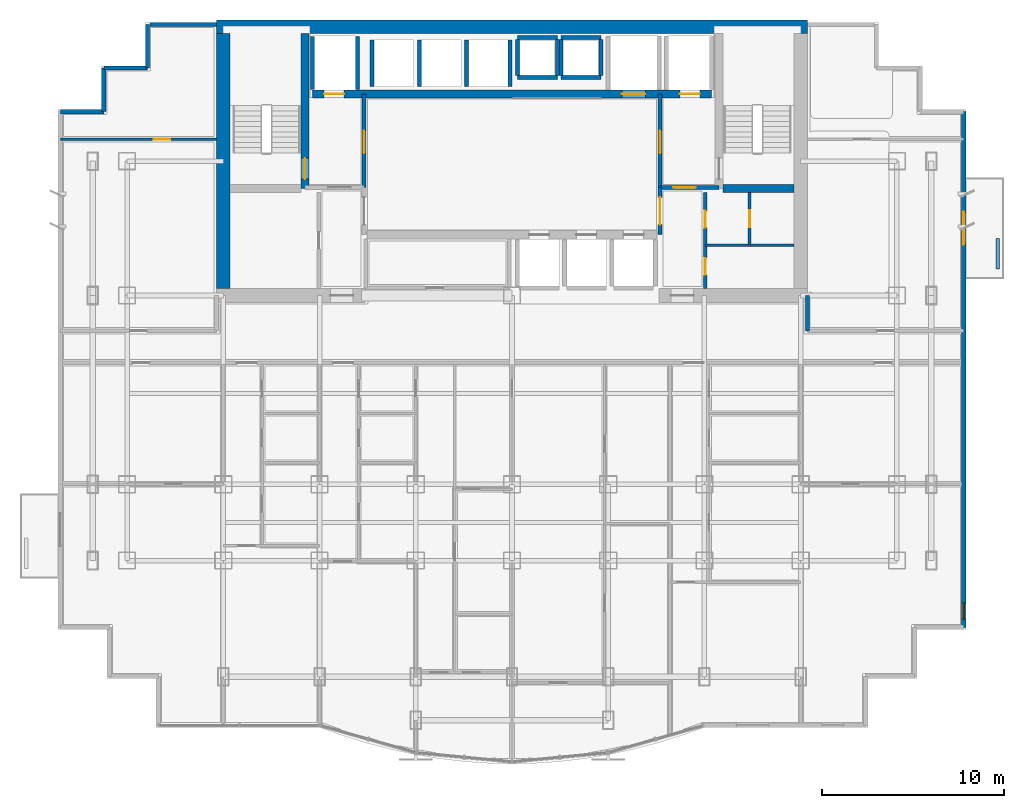
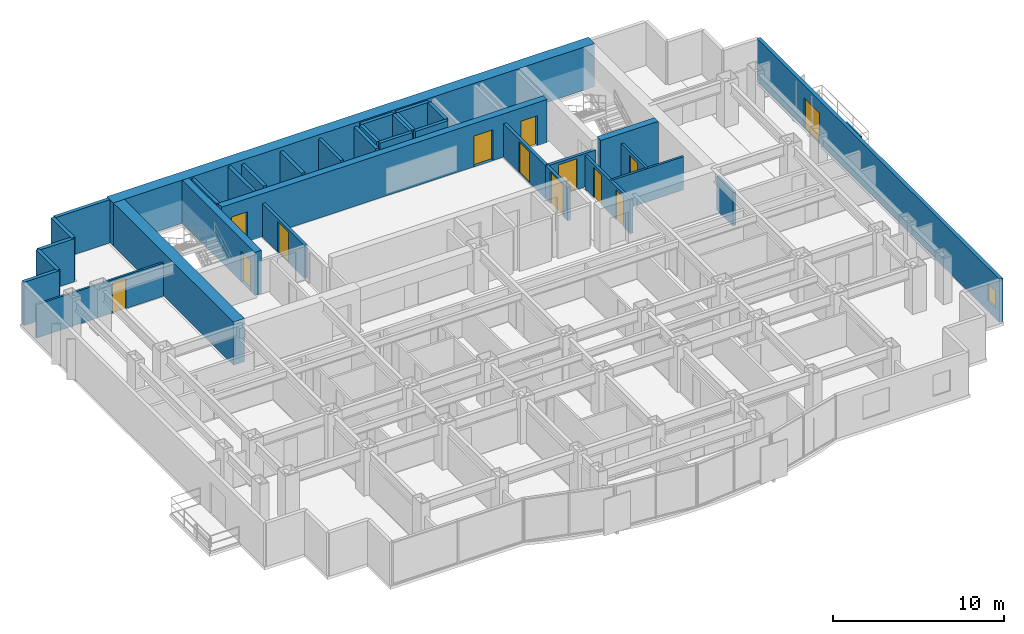
# One storey, part 7 of 10: 35 walls, 13 doors, 1 window, 14 openings.
"""IFC4 building model written with IfcOpenShell, lengths in metres."""

from ifc_helpers import new_model, si_unit, direction, frame, frame_2d, origin, place, context, subcontext, project, spatial, rectangle, extrude, material, layer, layer_set, type_object, element, fill, save


model = new_model("IFC4")

# Units and contexts
model_context = context("Model", 3, precision=1e-05, world=origin(), true_north=direction((0.0, 1.0)))
body_context = subcontext(model_context, "Body", "Model", "MODEL_VIEW")
ifc_project = project(units=[si_unit("LENGTHUNIT", "METRE"), si_unit("AREAUNIT", "SQUARE_METRE"), si_unit("VOLUMEUNIT", "CUBIC_METRE"), si_unit("PLANEANGLEUNIT", "RADIAN"), si_unit("MASSUNIT", "GRAM", prefix="KILO")], contexts=[model_context])

# Site, building, storey
site_placement = place(None, origin())
site = spatial("IfcSite", under=ifc_project, at=site_placement, CompositionType="ELEMENT")
building_placement = place(site_placement, origin())
building = spatial("IfcBuilding", under=site, at=building_placement, Name="Qianlan Lanfeng Residences", CompositionType="ELEMENT")
storey_placement = place(building_placement, frame((0.0, 0.0, 114.699951171875)))
storey = spatial("IfcBuildingStorey", under=building, at=storey_placement, Name="L31", CompositionType="ELEMENT", Elevation=114.699951171875)

# Wall, opening, door
ifc_material_1 = material(Name="Concrete C60", Category="concrete")
ifc_layer_1 = layer(ifc_material_1, 0.449951171875)
ifc_layer_set_1 = layer_set([ifc_layer_1], Name="Concrete C60")
wall_type_1 = type_object("IfcWallType", Name="CW-RC-450", PredefinedType="SHEAR", material=ifc_layer_set_1)
wall_1_placement = place(storey_placement, frame((15.10009765625, 31.10009765625, 0.0), z_axis=(0.0, 0.0, 1.0), x_axis=(0.0, 1.0, 0.0)))
wall_1 = element("IfcWall", 1, at=wall_1_placement, inside=storey, type_object=wall_type_1, Name="L31 Core Shear Wall ST1E", PredefinedType="SHEAR", context=body_context, shape_type="SweptSolid", body=[
    extrude(rectangle(XDim=8.52490234375, YDim=0.449951171875, at=frame_2d((4.262451171875, 0.0))), origin(), (0.0, 0.0, 1.0), 3.090087890625),
])
opening_1_placement = place(wall_1_placement, frame((0.510009765625, 0.0, 0.0)))
opening_1 = element("IfcOpeningElement", 2, at=opening_1_placement, cuts=wall_1, Name="Opening L31-D07", PredefinedType="OPENING", context=body_context, shape_type="SweptSolid", body=[
    extrude(rectangle(XDim=1.14990234375, YDim=2.199951171875, at=frame_2d((0.574951171875, 1.10009765625))), frame((0.0, 0.23486328125, 0.0), z_axis=(0.0, -1.0, 0.0), x_axis=(1.0, 0.0, 0.0)), (0.0, 0.0, 1.0), 0.469970703125),
])
ifc_material_2 = material(Name="Painted Galvanised Steel Fire Door", Category="steel")
door_type_1 = type_object("IfcDoorType", Name="DT-ST1", OperationType="NOTDEFINED", PredefinedType="DOOR", material=ifc_material_2)
door_1_placement = place(opening_1_placement, frame((1.14990234375, 0.0, 0.0), z_axis=(0.0, 0.0, 1.0), x_axis=(-1.0, 0.0, 0.0)))
door_1 = element("IfcDoor", 3, at=door_1_placement, inside=storey, type_object=door_type_1, Name="L31 Exit Stair ST-1 Door L31-D07 (DT-ST1)", OperationType="SINGLE_SWING_RIGHT", OverallHeight=2.199951171875, OverallWidth=1.14990234375, PredefinedType="DOOR", context=body_context, shape_type="SweptSolid", body=[
    extrude(rectangle(XDim=1.14990234375, YDim=2.199951171875, at=frame_2d((0.574951171875, 1.10009765625))), frame((0.0, 0.02490234375, 0.0), z_axis=(0.0, -1.0, 0.0), x_axis=(1.0, 0.0, 0.0)), (0.0, 0.0, 1.0), 0.050048828125),
])
fill(opening_1, door_1)

# Wall
wall_2_placement = place(storey_placement, frame((38.125, 31.10009765625, 0.0), z_axis=(0.0, 0.0, 1.0), x_axis=(1.0, 0.0, 0.0)))
element("IfcWall", 4, at=wall_2_placement, inside=storey, type_object=wall_type_1, Name="L31 Core Shear Wall ST2S", PredefinedType="SHEAR", context=body_context, shape_type="SweptSolid", body=[
    extrude(rectangle(XDim=3.89990234375, YDim=0.449951171875, at=frame_2d((1.949951171875, 0.0))), origin(), (0.0, 0.0, 1.0), 3.090087890625),
])

# Wall, openings, doors
wall_3_placement = place(storey_placement, frame((15.5, 36.300048828125, 0.0), z_axis=(0.0, 0.0, 1.0), x_axis=(1.0, 0.0, 0.0)))
wall_3 = element("IfcWall", 5, at=wall_3_placement, inside=storey, type_object=wall_type_1, Name="L31 Core Shear Wall LBN", PredefinedType="SHEAR", context=body_context, shape_type="SweptSolid", body=[
    extrude(rectangle(XDim=22.0, YDim=0.449951171875, at=frame_2d((11.0, 0.0))), origin(), (0.0, 0.0, 1.0), 3.090087890625),
])
opening_2_placement = place(wall_3_placement, frame((0.64990234375, 0.0, 0.0)))
opening_2 = element("IfcOpeningElement", 6, at=opening_2_placement, cuts=wall_3, Name="Opening L31-LD-FFL-1", PredefinedType="OPENING", context=body_context, shape_type="SweptSolid", body=[
    extrude(rectangle(XDim=1.10009765625, YDim=2.14990234375, at=frame_2d((0.550048828125, 1.074951171875))), frame((0.0, 0.23486328125, 0.0), z_axis=(0.0, -1.0, 0.0), x_axis=(1.0, 0.0, 0.0)), (0.0, 0.0, 1.0), 0.469970703125),
])
opening_3_placement = place(wall_3_placement, frame((20.25, 0.0, 0.0)))
opening_3 = element("IfcOpeningElement", 7, at=opening_3_placement, cuts=wall_3, Name="Opening L31-LD-FFL-2", PredefinedType="OPENING", context=body_context, shape_type="SweptSolid", body=[
    extrude(rectangle(XDim=1.10009765625, YDim=2.14990234375, at=frame_2d((0.550048828125, 1.074951171875))), frame((0.0, 0.23486328125, 0.0), z_axis=(0.0, -1.0, 0.0), x_axis=(1.0, 0.0, 0.0)), (0.0, 0.0, 1.0), 0.469970703125),
])
opening_4_placement = place(wall_3_placement, frame((17.050048828125, 0.0, 0.0)))
opening_4 = element("IfcOpeningElement", 8, at=opening_4_placement, cuts=wall_3, Name="Opening L31-LD-SVL-1", PredefinedType="OPENING", context=body_context, shape_type="SweptSolid", body=[
    extrude(rectangle(XDim=1.300048828125, YDim=2.199951171875, at=frame_2d((0.64990234375, 1.10009765625))), frame((0.0, 0.23486328125, 0.0), z_axis=(0.0, -1.0, 0.0), x_axis=(1.0, 0.0, 0.0)), (0.0, 0.0, 1.0), 0.469970703125),
])
ifc_material_3 = material(Name="Brushed Stainless Steel Sliding Lift Door", Category="steel")
door_type_2 = type_object("IfcDoorType", Name="LD-01", OperationType="NOTDEFINED", PredefinedType="DOOR", material=ifc_material_3)
door_2_placement = place(opening_2_placement, frame((1.10009765625, 0.0, 0.0), z_axis=(0.0, 0.0, 1.0), x_axis=(-1.0, 0.0, 0.0)))
door_2 = element("IfcDoor", 9, at=door_2_placement, inside=storey, type_object=door_type_2, Name="L31 Elevator FFL-1 Sliding Landing Door", OperationType="DOUBLE_DOOR_SLIDING", OverallHeight=2.14990234375, OverallWidth=1.10009765625, PredefinedType="DOOR", context=body_context, shape_type="SweptSolid", body=[
    extrude(rectangle(XDim=1.10009765625, YDim=2.14990234375, at=frame_2d((0.550048828125, 1.074951171875))), frame((0.0, 0.02490234375, 0.0), z_axis=(0.0, -1.0, 0.0), x_axis=(1.0, 0.0, 0.0)), (0.0, 0.0, 1.0), 0.050048828125),
])
fill(opening_2, door_2)
door_3_placement = place(opening_3_placement, frame((1.10009765625, 0.0, 0.0), z_axis=(0.0, 0.0, 1.0), x_axis=(-1.0, 0.0, 0.0)))
door_3 = element("IfcDoor", 10, at=door_3_placement, inside=storey, type_object=door_type_2, Name="L31 Elevator FFL-2 Sliding Landing Door", OperationType="DOUBLE_DOOR_SLIDING", OverallHeight=2.14990234375, OverallWidth=1.10009765625, PredefinedType="DOOR", context=body_context, shape_type="SweptSolid", body=[
    extrude(rectangle(XDim=1.10009765625, YDim=2.14990234375, at=frame_2d((0.550048828125, 1.074951171875))), frame((0.0, 0.02490234375, 0.0), z_axis=(0.0, -1.0, 0.0), x_axis=(1.0, 0.0, 0.0)), (0.0, 0.0, 1.0), 0.050048828125),
])
fill(opening_3, door_3)
door_type_3 = type_object("IfcDoorType", Name="LD-02", OperationType="NOTDEFINED", PredefinedType="DOOR", material=ifc_material_3)
door_4_placement = place(opening_4_placement, frame((1.300048828125, 0.0, 0.0), z_axis=(0.0, 0.0, 1.0), x_axis=(-1.0, 0.0, 0.0)))
door_4 = element("IfcDoor", 11, at=door_4_placement, inside=storey, type_object=door_type_3, Name="L31 Elevator SVL-1 Sliding Landing Door", OperationType="DOUBLE_DOOR_SLIDING", OverallHeight=2.199951171875, OverallWidth=1.300048828125, PredefinedType="DOOR", context=body_context, shape_type="SweptSolid", body=[
    extrude(rectangle(XDim=1.300048828125, YDim=2.199951171875, at=frame_2d((0.64990234375, 1.10009765625))), frame((0.0, 0.02490234375, 0.0), z_axis=(0.0, -1.0, 0.0), x_axis=(1.0, 0.0, 0.0)), (0.0, 0.0, 1.0), 0.050048828125),
])
fill(opening_4, door_4)

# Walls
ifc_layer_2 = layer(ifc_material_1, 0.75)
ifc_layer_set_2 = layer_set([ifc_layer_2], Name="Concrete C60")
wall_type_2 = type_object("IfcWallType", Name="CW-RC-750", PredefinedType="SHEAR", material=ifc_layer_set_2)
wall_4_placement = place(storey_placement, frame((10.22509765625, 40.0, 0.0), z_axis=(0.0, 0.0, 1.0), x_axis=(1.0, 0.0, 0.0)))
element("IfcWall", 12, at=wall_4_placement, inside=storey, type_object=wall_type_2, Name="L31 Core Shear Wall N", PredefinedType="SHEAR", context=body_context, shape_type="SweptSolid", body=[
    extrude(rectangle(XDim=32.5498046875, YDim=0.75, at=frame_2d((16.27490234375, 0.0))), origin(), (0.0, 0.0, 1.0), 3.090087890625),
])
wall_5_placement = place(storey_placement, frame((10.60009765625, 25.574951171875, 0.0), z_axis=(0.0, 0.0, 1.0), x_axis=(0.0, 1.0, 0.0)))
element("IfcWall", 13, at=wall_5_placement, inside=storey, type_object=wall_type_2, Name="L31 Core Shear Wall W", PredefinedType="SHEAR", context=body_context, shape_type="SweptSolid", body=[
    extrude(rectangle(XDim=14.050048828125, YDim=0.75, at=frame_2d((7.02490234375, 0.0))), origin(), (0.0, 0.0, 1.0), 3.090087890625),
])

# Wall, openings, door, window
ifc_material_4 = material(Name="Concrete C42", Category="concrete")
ifc_layer_3 = layer(ifc_material_4, 0.239990234375)
ifc_layer_set_3 = layer_set([ifc_layer_3], Name="Concrete C42")
wall_type_3 = type_object("IfcWallType", Name="EW-240", PredefinedType="SOLIDWALL", material=ifc_layer_set_3)
wall_6_placement = place(storey_placement, frame((51.3798828125, 6.919921875, 0.0), z_axis=(0.0, 0.0, 1.0), x_axis=(0.0, 1.0, 0.0)))
wall_6 = element("IfcWall", 14, at=wall_6_placement, inside=storey, type_object=wall_type_3, Name="L31 Terrace/Balcony Access Exterior Wall 10", PredefinedType="SOLIDWALL", context=body_context, shape_type="SweptSolid", body=[
    extrude(rectangle(XDim=28.41015625, YDim=0.239990234375, at=frame_2d((14.205078125, 0.0))), origin(), (0.0, 0.0, 1.0), 3.090087890625),
])
opening_5_placement = place(wall_6_placement, frame((21.080078125, 0.0, 0.0)))
opening_5 = element("IfcOpeningElement", 15, at=opening_5_placement, cuts=wall_6, Name="Opening L31-D-EB-N", PredefinedType="OPENING", context=body_context, shape_type="SweptSolid", body=[
    extrude(rectangle(XDim=1.800048828125, YDim=2.199951171875, at=frame_2d((0.89990234375, 1.10009765625))), frame((0.0, 0.1298828125, 0.0), z_axis=(0.0, -1.0, 0.0), x_axis=(1.0, 0.0, 0.0)), (0.0, 0.0, 1.0), 0.260009765625),
])
opening_6_placement = place(wall_6_placement, frame((0.449951171875, 0.0, 0.75)))
opening_6 = element("IfcOpeningElement", 16, at=opening_6_placement, cuts=wall_6, Name="Opening W-04", PredefinedType="OPENING", context=body_context, shape_type="SweptSolid", body=[
    extrude(rectangle(XDim=0.89990234375, YDim=1.199951171875, at=frame_2d((0.449951171875, 0.60009765625))), frame((0.0, 0.1298828125, 0.0), z_axis=(0.0, -1.0, 0.0), x_axis=(1.0, 0.0, 0.0)), (0.0, 0.0, 1.0), 0.260009765625),
])
ifc_material_5 = material(Name="Anodised Bronze Aluminium Framed Glass", Category="aluminium")
door_type_4 = type_object("IfcDoorType", Name="DT-BAL1", OperationType="NOTDEFINED", PredefinedType="DOOR", material=ifc_material_5)
door_5_placement = place(opening_5_placement, frame((1.800048828125, 0.0, 0.0), z_axis=(0.0, 0.0, 1.0), x_axis=(-1.0, 0.0, 0.0)))
door_5 = element("IfcDoor", 17, at=door_5_placement, inside=storey, type_object=door_type_4, Name="L31 Exterior Access Door EB-N", OperationType="DOUBLE_DOOR_SLIDING", OverallHeight=2.199951171875, OverallWidth=1.800048828125, PredefinedType="DOOR", context=body_context, shape_type="SweptSolid", body=[
    extrude(rectangle(XDim=1.800048828125, YDim=2.199951171875, at=frame_2d((0.89990234375, 1.10009765625))), frame((0.0, 0.02490234375, 0.0), z_axis=(0.0, -1.0, 0.0), x_axis=(1.0, 0.0, 0.0)), (0.0, 0.0, 1.0), 0.050048828125),
])
fill(opening_5, door_5)
ifc_material_6 = material(Name="Anodised Bronze Aluminium Framed Double Glazing", Category="aluminium")
window_type = type_object("IfcWindowType", Name="W-04", PartitioningType="SINGLE_PANEL", PredefinedType="WINDOW", material=ifc_material_6)
window_placement = place(opening_6_placement, origin())
window = element("IfcWindow", 18, at=window_placement, inside=storey, type_object=window_type, Name="L31 Exterior Window W-04", OverallHeight=1.199951171875, OverallWidth=0.89990234375, PartitioningType="SINGLE_PANEL", PredefinedType="WINDOW", context=body_context, shape_type="SweptSolid", body=[
    extrude(rectangle(XDim=0.89990234375, YDim=1.199951171875, at=frame_2d((0.449951171875, 0.60009765625))), frame((0.0, 0.030029296875, 0.0), z_axis=(0.0, -1.0, 0.0), x_axis=(1.0, 0.0, 0.0)), (0.0, 0.0, 1.0), 0.06005859375),
])
fill(opening_6, window)

# Walls
wall_7_placement = place(storey_placement, frame((10.22509765625, 40.1298828125, 0.0), z_axis=(0.0, 0.0, 1.0), x_axis=(-1.0, 0.0, 0.0)))
element("IfcWall", 19, at=wall_7_placement, inside=storey, type_object=wall_type_3, Name="L31 North Wing Exterior Wall W", PredefinedType="SOLIDWALL", context=body_context, shape_type="SweptSolid", body=[
    extrude(rectangle(XDim=3.675048828125, YDim=0.239990234375, at=frame_2d((1.83740234375, 0.0))), origin(), (0.0, 0.0, 1.0), 3.090087890625),
])
for number, where, z_axis, x_axis, name in (
    (20, (6.419921875, 40.1298828125, 0.0), (0.0, 0.0, 1.0), (0.0, -1.0, 0.0), "L31 Exterior Facade Spandrel Wall 17"),
    (21, (6.419921875, 37.72998046875, 0.0), (0.0, 0.0, 1.0), (-1.0, 0.0, 0.0), "L31 Exterior Facade Spandrel Wall 18"),
    (22, (4.02001953125, 37.72998046875, 0.0), (0.0, 0.0, 1.0), (0.0, -1.0, 0.0), "L31 Exterior Facade Spandrel Wall 19"),
    (23, (4.02001953125, 35.330078125, 0.0), (0.0, 0.0, 1.0), (-1.0, 0.0, 0.0), "L31 Exterior Facade Spandrel Wall 20"),
):
    element("IfcWall", number, at=place(storey_placement, frame(where, z_axis=z_axis, x_axis=x_axis)), inside=storey, type_object=wall_type_3, Name=name, PredefinedType="SOLIDWALL", context=body_context, shape_type="SweptSolid", body=[
        extrude(rectangle(XDim=2.39990234375, YDim=0.239990234375, at=frame_2d((1.199951171875, 0.0))), origin(), (0.0, 0.0, 1.0), 3.090087890625),
    ])
ifc_layer_4 = layer(ifc_material_4, 0.199951171875)
ifc_layer_set_4 = layer_set([ifc_layer_4], Name="Concrete C42")
wall_type_4 = type_object("IfcWallType", Name="PL-TREE-200", PredefinedType="PARAPET", material=ifc_layer_set_4)
wall_8_placement = place(storey_placement, frame((53.25, 26.64990234375, 0.0), z_axis=(0.0, 0.0, 1.0), x_axis=(0.0, 1.0, 0.0)))
element("IfcWall", 24, at=wall_8_placement, inside=storey, type_object=wall_type_4, Name="L31 East Tree Planter Curb EB-N", PredefinedType="PARAPET", context=body_context, shape_type="SweptSolid", body=[
    extrude(rectangle(XDim=1.7001953125, YDim=0.199951171875, at=frame_2d((0.85009765625, 0.0))), origin(), (0.0, 0.0, 1.0), 0.650146484375),
])

# Wall, opening, door
ifc_material_7 = material(Name="Moisture-Resistant Gypsum Partition 135 mm")
ifc_layer_5 = layer(ifc_material_7, 0.135009765625)
ifc_layer_set_5 = layer_set([ifc_layer_5], Name="Moisture-Resistant Gypsum Partition 135 mm")
wall_type_5 = type_object("IfcWallType", Name="PW-135", PredefinedType="PARTITIONING", material=ifc_layer_set_5)
wall_9_placement = place(storey_placement, frame((1.6201171875, 33.800048828125, 0.0), z_axis=(0.0, 0.0, 1.0), x_axis=(1.0, 0.0, 0.0)))
wall_9 = element("IfcWall", 25, at=wall_9_placement, inside=storey, type_object=wall_type_5, Name="L31 WW North Wing Wall", PredefinedType="PARTITIONING", context=body_context, shape_type="SweptSolid", body=[
    extrude(rectangle(XDim=8.60498046875, YDim=0.135009765625, at=frame_2d((4.302490234375, 0.0))), origin(), (0.0, 0.0, 1.0), 2.380126953125),
])
opening_7_placement = place(wall_9_placement, frame((5.14306640625, 0.0, 0.0)))
opening_7 = element("IfcOpeningElement", 26, at=opening_7_placement, cuts=wall_9, Name="Opening L31-D44", PredefinedType="OPENING", context=body_context, shape_type="SweptSolid", body=[
    extrude(rectangle(XDim=0.919921875, YDim=2.14990234375, at=frame_2d((0.4599609375, 1.074951171875))), frame((0.0, 0.07763671875, 0.0), z_axis=(0.0, -1.0, 0.0), x_axis=(1.0, 0.0, 0.0)), (0.0, 0.0, 1.0), 0.155029296875),
])
ifc_material_8 = material(Name="Glazed Timber Kitchen/Study Door", Category="wood")
door_type_5 = type_object("IfcDoorType", Name="DT-INT", OperationType="NOTDEFINED", PredefinedType="DOOR", material=ifc_material_8)
door_6_placement = place(opening_7_placement, origin())
door_6 = element("IfcDoor", 27, at=door_6_placement, inside=storey, type_object=door_type_5, Name="L31 WW Inner Salon Door L31-D44 (DT-INT)", OperationType="SINGLE_SWING_LEFT", OverallHeight=2.14990234375, OverallWidth=0.919921875, PredefinedType="DOOR", context=body_context, shape_type="SweptSolid", body=[
    extrude(rectangle(XDim=0.919921875, YDim=2.14990234375, at=frame_2d((0.4599609375, 1.074951171875))), frame((0.0, 0.02490234375, 0.0), z_axis=(0.0, -1.0, 0.0), x_axis=(1.0, 0.0, 0.0)), (0.0, 0.0, 1.0), 0.050048828125),
])
fill(opening_7, door_6)

# Wall
ifc_material_9 = material(Name="Acoustic Drywall Partition 150 mm")
ifc_layer_6 = layer(ifc_material_9, 0.14990234375)
ifc_layer_set_6 = layer_set([ifc_layer_6], Name="Acoustic Drywall Partition 150 mm")
wall_type_6 = type_object("IfcWallType", Name="PW-150", PredefinedType="PARTITIONING", material=ifc_layer_set_6)
wall_10_placement = place(storey_placement, frame((37.14990234375, 27.97509765625, 0.0), z_axis=(0.0, 0.0, 1.0), x_axis=(1.0, 0.0, 0.0)))
element("IfcWall", 28, at=wall_10_placement, inside=storey, type_object=wall_type_6, Name="L31 Core East H Split", PredefinedType="PARTITIONING", context=body_context, shape_type="SweptSolid", body=[
    extrude(rectangle(XDim=4.875, YDim=0.14990234375, at=frame_2d((2.4375, 0.0))), origin(), (0.0, 0.0, 1.0), 2.380126953125),
])

# Wall, opening, door
wall_11_placement = place(storey_placement, frame((39.5869140625, 27.97509765625, 0.0), z_axis=(0.0, 0.0, 1.0), x_axis=(0.0, 1.0, 0.0)))
wall_11 = element("IfcWall", 29, at=wall_11_placement, inside=storey, type_object=wall_type_6, Name="L31 Core East V Split", PredefinedType="PARTITIONING", context=body_context, shape_type="SweptSolid", body=[
    extrude(rectangle(XDim=2.89990234375, YDim=0.14990234375, at=frame_2d((1.449951171875, 0.0))), origin(), (0.0, 0.0, 1.0), 2.380126953125),
])
opening_8_placement = place(wall_11_placement, frame((0.989990234375, 0.0, 0.0)))
opening_8 = element("IfcOpeningElement", 30, at=opening_8_placement, cuts=wall_11, Name="Opening L31-D12", PredefinedType="OPENING", context=body_context, shape_type="SweptSolid", body=[
    extrude(rectangle(XDim=0.919921875, YDim=2.14990234375, at=frame_2d((0.4599609375, 1.074951171875))), frame((0.0, 0.0849609375, 0.0), z_axis=(0.0, -1.0, 0.0), x_axis=(1.0, 0.0, 0.0)), (0.0, 0.0, 1.0), 0.169921875),
])
door_7_placement = place(opening_8_placement, origin())
door_7 = element("IfcDoor", 31, at=door_7_placement, inside=storey, type_object=door_type_5, Name="L31 Inner Supply Closet Door L31-D12 (DT-INT)", OperationType="SINGLE_SWING_LEFT", OverallHeight=2.14990234375, OverallWidth=0.919921875, PredefinedType="DOOR", context=body_context, shape_type="SweptSolid", body=[
    extrude(rectangle(XDim=0.919921875, YDim=2.14990234375, at=frame_2d((0.4599609375, 1.074951171875))), frame((0.0, 0.02490234375, 0.0), z_axis=(0.0, -1.0, 0.0), x_axis=(1.0, 0.0, 0.0)), (0.0, 0.0, 1.0), 0.050048828125),
])
fill(opening_8, door_7)

# Wall, openings, doors
ifc_material_10 = material(Name="Double-Layer Acoustic Gypsum Stud Wall 180 mm")
ifc_layer_7 = layer(ifc_material_10, 0.179931640625)
ifc_layer_set_7 = layer_set([ifc_layer_7], Name="Double-Layer Acoustic Gypsum Stud Wall 180 mm")
wall_type_7 = type_object("IfcWallType", Name="PW-180", PredefinedType="PARTITIONING", material=ifc_layer_set_7)
wall_12_placement = place(storey_placement, frame((37.14990234375, 25.574951171875, 0.0), z_axis=(0.0, 0.0, 1.0), x_axis=(0.0, 1.0, 0.0)))
wall_12 = element("IfcWall", 32, at=wall_12_placement, inside=storey, type_object=wall_type_7, Name="L31 Core East Service Room Wall", PredefinedType="PARTITIONING", context=body_context, shape_type="SweptSolid", body=[
    extrude(rectangle(XDim=5.300048828125, YDim=0.179931640625, at=frame_2d((2.64990234375, 0.0))), origin(), (0.0, 0.0, 1.0), 2.380126953125),
])
opening_9_placement = place(wall_12_placement, frame((0.764892578125, 0.0, 0.0)))
opening_9 = element("IfcOpeningElement", 33, at=opening_9_placement, cuts=wall_12, Name="Opening L31-D10", PredefinedType="OPENING", context=body_context, shape_type="SweptSolid", body=[
    extrude(rectangle(XDim=0.919921875, YDim=2.14990234375, at=frame_2d((0.4599609375, 1.074951171875))), frame((0.0, 0.10009765625, 0.0), z_axis=(0.0, -1.0, 0.0), x_axis=(1.0, 0.0, 0.0)), (0.0, 0.0, 1.0), 0.199951171875),
])
opening_10_placement = place(wall_12_placement, frame((3.364990234375, 0.0, 0.0)))
opening_10 = element("IfcOpeningElement", 34, at=opening_10_placement, cuts=wall_12, Name="Opening L31-D11", PredefinedType="OPENING", context=body_context, shape_type="SweptSolid", body=[
    extrude(rectangle(XDim=0.919921875, YDim=2.14990234375, at=frame_2d((0.4599609375, 1.074951171875))), frame((0.0, 0.10009765625, 0.0), z_axis=(0.0, -1.0, 0.0), x_axis=(1.0, 0.0, 0.0)), (0.0, 0.0, 1.0), 0.199951171875),
])
door_8_placement = place(opening_9_placement, origin())
door_8 = element("IfcDoor", 35, at=door_8_placement, inside=storey, type_object=door_type_5, Name="L31 Refuse Room Door L31-D10 (DT-INT)", OperationType="SINGLE_SWING_LEFT", OverallHeight=2.14990234375, OverallWidth=0.919921875, PredefinedType="DOOR", context=body_context, shape_type="SweptSolid", body=[
    extrude(rectangle(XDim=0.919921875, YDim=2.14990234375, at=frame_2d((0.4599609375, 1.074951171875))), frame((0.0, 0.02490234375, 0.0), z_axis=(0.0, -1.0, 0.0), x_axis=(1.0, 0.0, 0.0)), (0.0, 0.0, 1.0), 0.050048828125),
])
fill(opening_9, door_8)
door_9_placement = place(opening_10_placement, origin())
door_9 = element("IfcDoor", 36, at=door_9_placement, inside=storey, type_object=door_type_5, Name="L31 Janitor Outer Door L31-D11 (DT-INT)", OperationType="SINGLE_SWING_RIGHT", OverallHeight=2.14990234375, OverallWidth=0.919921875, PredefinedType="DOOR", context=body_context, shape_type="SweptSolid", body=[
    extrude(rectangle(XDim=0.919921875, YDim=2.14990234375, at=frame_2d((0.4599609375, 1.074951171875))), frame((0.0, 0.02490234375, 0.0), z_axis=(0.0, -1.0, 0.0), x_axis=(1.0, 0.0, 0.0)), (0.0, 0.0, 1.0), 0.050048828125),
])
fill(opening_10, door_9)

# Wall, opening, door
ifc_material_11 = material(Name="Autoclaved Aerated Concrete Blockwork 200 mm", Category="masonry")
ifc_layer_8 = layer(ifc_material_11, 0.199951171875)
ifc_layer_set_8 = layer_set([ifc_layer_8], Name="Autoclaved Aerated Concrete Blockwork 200 mm")
wall_type_8 = type_object("IfcWallType", Name="PW-200", PredefinedType="PARTITIONING", material=ifc_layer_set_8)
wall_13_placement = place(storey_placement, frame((18.35009765625, 31.14990234375, 0.0), z_axis=(0.0, 0.0, 1.0), x_axis=(0.0, 1.0, 0.0)))
wall_13 = element("IfcWall", 37, at=wall_13_placement, inside=storey, type_object=wall_type_8, Name="L31 Firefighting Lobby 1 East Wall", PredefinedType="PARTITIONING", context=body_context, shape_type="SweptSolid", body=[
    extrude(rectangle(XDim=5.150146484375, YDim=0.199951171875, at=frame_2d((2.5751953125, 0.0))), origin(), (0.0, 0.0, 1.0), 2.380126953125),
])
opening_11_placement = place(wall_13_placement, frame((1.875, 0.0, 0.0)))
opening_11 = element("IfcOpeningElement", 38, at=opening_11_placement, cuts=wall_13, Name="Opening L31-D04", PredefinedType="OPENING", context=body_context, shape_type="SweptSolid", body=[
    extrude(rectangle(XDim=1.25, YDim=2.199951171875, at=frame_2d((0.625, 1.10009765625))), frame((0.0, 0.10986328125, 0.0), z_axis=(0.0, -1.0, 0.0), x_axis=(1.0, 0.0, 0.0)), (0.0, 0.0, 1.0), 0.219970703125),
])
door_type_6 = type_object("IfcDoorType", Name="DT-FFL", OperationType="NOTDEFINED", PredefinedType="DOOR", material=ifc_material_2)
door_10_placement = place(opening_11_placement, origin())
door_10 = element("IfcDoor", 39, at=door_10_placement, inside=storey, type_object=door_type_6, Name="L31 Firefighting Lobby 1 Lift Lobby Door L31-D04 (DT-FFL)", OperationType="SINGLE_SWING_LEFT", OverallHeight=2.199951171875, OverallWidth=1.25, PredefinedType="DOOR", context=body_context, shape_type="SweptSolid", body=[
    extrude(rectangle(XDim=1.25, YDim=2.199951171875, at=frame_2d((0.625, 1.10009765625))), frame((0.0, 0.02490234375, 0.0), z_axis=(0.0, -1.0, 0.0), x_axis=(1.0, 0.0, 0.0)), (0.0, 0.0, 1.0), 0.050048828125),
])
fill(opening_11, door_10)

wall_14_placement = place(storey_placement, frame((34.64990234375, 31.14990234375, 0.0), z_axis=(0.0, 0.0, 1.0), x_axis=(1.0, 0.0, 0.0)))
wall_14 = element("IfcWall", 40, at=wall_14_placement, inside=storey, type_object=wall_type_8, Name="L31 Firefighting Lobby 2 South Wall", PredefinedType="PARTITIONING", context=body_context, shape_type="SweptSolid", body=[
    extrude(rectangle(XDim=3.25, YDim=0.199951171875, at=frame_2d((1.625, 0.0))), origin(), (0.0, 0.0, 1.0), 2.380126953125),
])
opening_12_placement = place(wall_14_placement, frame((0.72509765625, 0.0, 0.0)))
opening_12 = element("IfcOpeningElement", 41, at=opening_12_placement, cuts=wall_14, Name="Opening L31-D05", PredefinedType="OPENING", context=body_context, shape_type="SweptSolid", body=[
    extrude(rectangle(XDim=1.25, YDim=2.199951171875, at=frame_2d((0.625, 1.10009765625))), frame((0.0, 0.10986328125, 0.0), z_axis=(0.0, -1.0, 0.0), x_axis=(1.0, 0.0, 0.0)), (0.0, 0.0, 1.0), 0.219970703125),
])
door_11_placement = place(opening_12_placement, origin())
door_11 = element("IfcDoor", 42, at=door_11_placement, inside=storey, type_object=door_type_6, Name="L31 Firefighting Lobby 2 Entry Door L31-D05 (DT-FFL)", OperationType="SINGLE_SWING_RIGHT", OverallHeight=2.199951171875, OverallWidth=1.25, PredefinedType="DOOR", context=body_context, shape_type="SweptSolid", body=[
    extrude(rectangle(XDim=1.25, YDim=2.199951171875, at=frame_2d((0.625, 1.10009765625))), frame((0.0, 0.02490234375, 0.0), z_axis=(0.0, -1.0, 0.0), x_axis=(1.0, 0.0, 0.0)), (0.0, 0.0, 1.0), 0.050048828125),
])
fill(opening_12, door_11)

wall_15_placement = place(storey_placement, frame((34.64990234375, 31.14990234375, 0.0), z_axis=(0.0, 0.0, 1.0), x_axis=(0.0, 1.0, 0.0)))
wall_15 = element("IfcWall", 43, at=wall_15_placement, inside=storey, type_object=wall_type_8, Name="L31 Firefighting Lobby 2 West Wall", PredefinedType="PARTITIONING", context=body_context, shape_type="SweptSolid", body=[
    extrude(rectangle(XDim=5.150146484375, YDim=0.199951171875, at=frame_2d((2.5751953125, 0.0))), origin(), (0.0, 0.0, 1.0), 2.380126953125),
])
opening_13_placement = place(wall_15_placement, frame((1.875, 0.0, 0.0)))
opening_13 = element("IfcOpeningElement", 44, at=opening_13_placement, cuts=wall_15, Name="Opening L31-D06", PredefinedType="OPENING", context=body_context, shape_type="SweptSolid", body=[
    extrude(rectangle(XDim=1.25, YDim=2.199951171875, at=frame_2d((0.625, 1.10009765625))), frame((0.0, 0.10986328125, 0.0), z_axis=(0.0, -1.0, 0.0), x_axis=(1.0, 0.0, 0.0)), (0.0, 0.0, 1.0), 0.219970703125),
])
door_12_placement = place(opening_13_placement, origin())
door_12 = element("IfcDoor", 45, at=door_12_placement, inside=storey, type_object=door_type_6, Name="L31 Firefighting Lobby 2 Lift Lobby Door L31-D06 (DT-FFL)", OperationType="SINGLE_SWING_LEFT", OverallHeight=2.199951171875, OverallWidth=1.25, PredefinedType="DOOR", context=body_context, shape_type="SweptSolid", body=[
    extrude(rectangle(XDim=1.25, YDim=2.199951171875, at=frame_2d((0.625, 1.10009765625))), frame((0.0, 0.02490234375, 0.0), z_axis=(0.0, -1.0, 0.0), x_axis=(1.0, 0.0, 0.0)), (0.0, 0.0, 1.0), 0.050048828125),
])
fill(opening_13, door_12)

wall_16_placement = place(storey_placement, frame((34.64990234375, 28.550048828125, 0.0), z_axis=(0.0, 0.0, 1.0), x_axis=(0.0, 1.0, 0.0)))
wall_16 = element("IfcWall", 46, at=wall_16_placement, inside=storey, type_object=wall_type_8, Name="L31 Lift Lobby East Connector Wall", PredefinedType="PARTITIONING", context=body_context, shape_type="SweptSolid", body=[
    extrude(rectangle(XDim=2.599853515625, YDim=0.199951171875, at=frame_2d((1.2998046875, 0.0))), origin(), (0.0, 0.0, 1.0), 2.380126953125),
])
opening_14_placement = place(wall_16_placement, frame((0.550048828125, 0.0, 0.0)))
opening_14 = element("IfcOpeningElement", 47, at=opening_14_placement, cuts=wall_16, Name="Opening L31-D14", PredefinedType="OPENING", context=body_context, shape_type="SweptSolid", body=[
    extrude(rectangle(XDim=1.5, YDim=2.25, at=frame_2d((0.75, 1.125))), frame((0.0, 0.10986328125, 0.0), z_axis=(0.0, -1.0, 0.0), x_axis=(1.0, 0.0, 0.0)), (0.0, 0.0, 1.0), 0.219970703125),
])
ifc_material_12 = material(Name="Timber Veneer Acoustic Fire Door", Category="wood")
door_type_7 = type_object("IfcDoorType", Name="DT-COR1", OperationType="NOTDEFINED", PredefinedType="DOOR", material=ifc_material_12)
door_13_placement = place(opening_14_placement, frame((1.5, 0.0, 0.0), z_axis=(0.0, 0.0, 1.0), x_axis=(-1.0, 0.0, 0.0)))
door_13 = element("IfcDoor", 48, at=door_13_placement, inside=storey, type_object=door_type_7, Name="L31 Lift Lobby East Portal Door L31-D14 (DT-COR1)", OperationType="DOUBLE_DOOR_SINGLE_SWING", OverallHeight=2.25, OverallWidth=1.5, PredefinedType="DOOR", context=body_context, shape_type="SweptSolid", body=[
    extrude(rectangle(XDim=1.5, YDim=2.25, at=frame_2d((0.75, 1.125))), frame((0.0, 0.02490234375, 0.0), z_axis=(0.0, -1.0, 0.0), x_axis=(1.0, 0.0, 0.0)), (0.0, 0.0, 1.0), 0.050048828125),
])
fill(opening_14, door_13)

# Walls
wall_17_placement = place(storey_placement, frame((42.77490234375, 23.25, 0.0), z_axis=(0.0, 0.0, 1.0), x_axis=(0.0, 1.0, 0.0)))
element("IfcWall", 49, at=wall_17_placement, inside=storey, type_object=wall_type_8, Name="L31 NE Wing Core Return Wall", PredefinedType="PARTITIONING", context=body_context, shape_type="SweptSolid", body=[
    extrude(rectangle(XDim=1.949951171875, YDim=0.199951171875, at=frame_2d((0.97509765625, 0.0))), origin(), (0.0, 0.0, 1.0), 2.380126953125),
])
ifc_material_13 = material(Name="Concrete C49", Category="concrete")
ifc_layer_9 = layer(ifc_material_13, 0.219970703125)
ifc_layer_set_9 = layer_set([ifc_layer_9], Name="Concrete C49")
wall_type_9 = type_object("IfcWallType", Name="SHW-220", PredefinedType="SOLIDWALL", material=ifc_layer_set_9)
for number, where, z_axis, x_axis, name in (
    (50, (15.52001953125, 36.550048828125, 0.0), (0.0, 0.0, 1.0), (0.0, 1.0, 0.0), "L31 Lift FFL-1 Shaft Wall W"),
    (51, (18.0, 36.550048828125, 0.0), (0.0, 0.0, 1.0), (0.0, 1.0, 0.0), "L31 Lift FFL-1 Shaft Wall E"),
):
    element("IfcWall", number, at=place(storey_placement, frame(where, z_axis=z_axis, x_axis=x_axis)), inside=storey, type_object=wall_type_9, Name=name, PredefinedType="SOLIDWALL", context=body_context, shape_type="SweptSolid", body=[
        extrude(rectangle(XDim=2.929931640625, YDim=0.219970703125, at=frame_2d((1.46484375, 0.0))), origin(), (0.0, 0.0, 1.0), 3.090087890625),
    ])
for number, where, z_axis, x_axis, name in (
    (52, (18.800048828125, 36.719970703125, 0.0), (0.0, 0.0, 1.0), (0.0, 1.0, 0.0), "L31 Lift PL-H1 Shaft Wall W"),
    (53, (21.39990234375, 36.719970703125, 0.0), (0.0, 0.0, 1.0), (0.0, 1.0, 0.0), "L31 Lift PL-H2 Shaft Wall W"),
    (54, (24.0, 36.719970703125, 0.0), (0.0, 0.0, 1.0), (0.0, 1.0, 0.0), "L31 Lift PL-H3 Shaft Wall W"),
    (55, (26.39990234375, 36.719970703125, 0.0), (0.0, 0.0, 1.0), (0.0, 1.0, 0.0), "L31 Lift PL-H3 Shaft Wall E"),
):
    element("IfcWall", number, at=place(storey_placement, frame(where, z_axis=z_axis, x_axis=x_axis)), inside=storey, type_object=wall_type_9, Name=name, PredefinedType="SOLIDWALL", context=body_context, shape_type="SweptSolid", body=[
        extrude(rectangle(XDim=2.56005859375, YDim=0.219970703125, at=frame_2d((1.280029296875, 0.0))), origin(), (0.0, 0.0, 1.0), 3.090087890625),
    ])
for number, where, z_axis, x_axis, name in (
    (56, (26.800048828125, 37.31005859375, 0.0), (0.0, 0.0, 1.0), (0.0, 1.0, 0.0), "L31 MEP Riser MEP-R1 Shaft Wall W"),
    (57, (29.0, 37.31005859375, 0.0), (0.0, 0.0, 1.0), (0.0, 1.0, 0.0), "L31 MEP Riser MEP-R1 Shaft Wall E"),
):
    element("IfcWall", number, at=place(storey_placement, frame(where, z_axis=z_axis, x_axis=x_axis)), inside=storey, type_object=wall_type_9, Name=name, PredefinedType="SOLIDWALL", context=body_context, shape_type="SweptSolid", body=[
        extrude(rectangle(XDim=1.97998046875, YDim=0.219970703125, at=frame_2d((0.989990234375, 0.0))), origin(), (0.0, 0.0, 1.0), 3.090087890625),
    ])
for number, where, z_axis, x_axis, name in (
    (58, (26.800048828125, 39.39990234375, 0.0), (0.0, 0.0, 1.0), (1.0, 0.0, 0.0), "L31 MEP Riser MEP-R1 Shaft Wall N"),
    (59, (26.800048828125, 37.199951171875, 0.0), (0.0, 0.0, 1.0), (1.0, 0.0, 0.0), "L31 MEP Riser MEP-R1 Shaft Wall S"),
):
    element("IfcWall", number, at=place(storey_placement, frame(where, z_axis=z_axis, x_axis=x_axis)), inside=storey, type_object=wall_type_9, Name=name, PredefinedType="SOLIDWALL", context=body_context, shape_type="SweptSolid", body=[
        extrude(rectangle(XDim=2.199951171875, YDim=0.219970703125, at=frame_2d((1.10009765625, 0.0))), origin(), (0.0, 0.0, 1.0), 3.090087890625),
    ])
for number, where, z_axis, x_axis, name in (
    (60, (29.199951171875, 37.31005859375, 0.0), (0.0, 0.0, 1.0), (0.0, 1.0, 0.0), "L31 MEP Riser MEP-R2 Shaft Wall W"),
    (61, (31.39990234375, 37.31005859375, 0.0), (0.0, 0.0, 1.0), (0.0, 1.0, 0.0), "L31 MEP Riser MEP-R2 Shaft Wall E"),
):
    element("IfcWall", number, at=place(storey_placement, frame(where, z_axis=z_axis, x_axis=x_axis)), inside=storey, type_object=wall_type_9, Name=name, PredefinedType="SOLIDWALL", context=body_context, shape_type="SweptSolid", body=[
        extrude(rectangle(XDim=1.97998046875, YDim=0.219970703125, at=frame_2d((0.989990234375, 0.0))), origin(), (0.0, 0.0, 1.0), 3.090087890625),
    ])
for number, where, z_axis, x_axis, name in (
    (62, (29.199951171875, 39.39990234375, 0.0), (0.0, 0.0, 1.0), (1.0, 0.0, 0.0), "L31 MEP Riser MEP-R2 Shaft Wall N"),
    (63, (29.199951171875, 37.199951171875, 0.0), (0.0, 0.0, 1.0), (1.0, 0.0, 0.0), "L31 MEP Riser MEP-R2 Shaft Wall S"),
):
    element("IfcWall", number, at=place(storey_placement, frame(where, z_axis=z_axis, x_axis=x_axis)), inside=storey, type_object=wall_type_9, Name=name, PredefinedType="SOLIDWALL", context=body_context, shape_type="SweptSolid", body=[
        extrude(rectangle(XDim=2.199951171875, YDim=0.219970703125, at=frame_2d((1.10009765625, 0.0))), origin(), (0.0, 0.0, 1.0), 3.090087890625),
    ])

save(model, "model.ifc")
